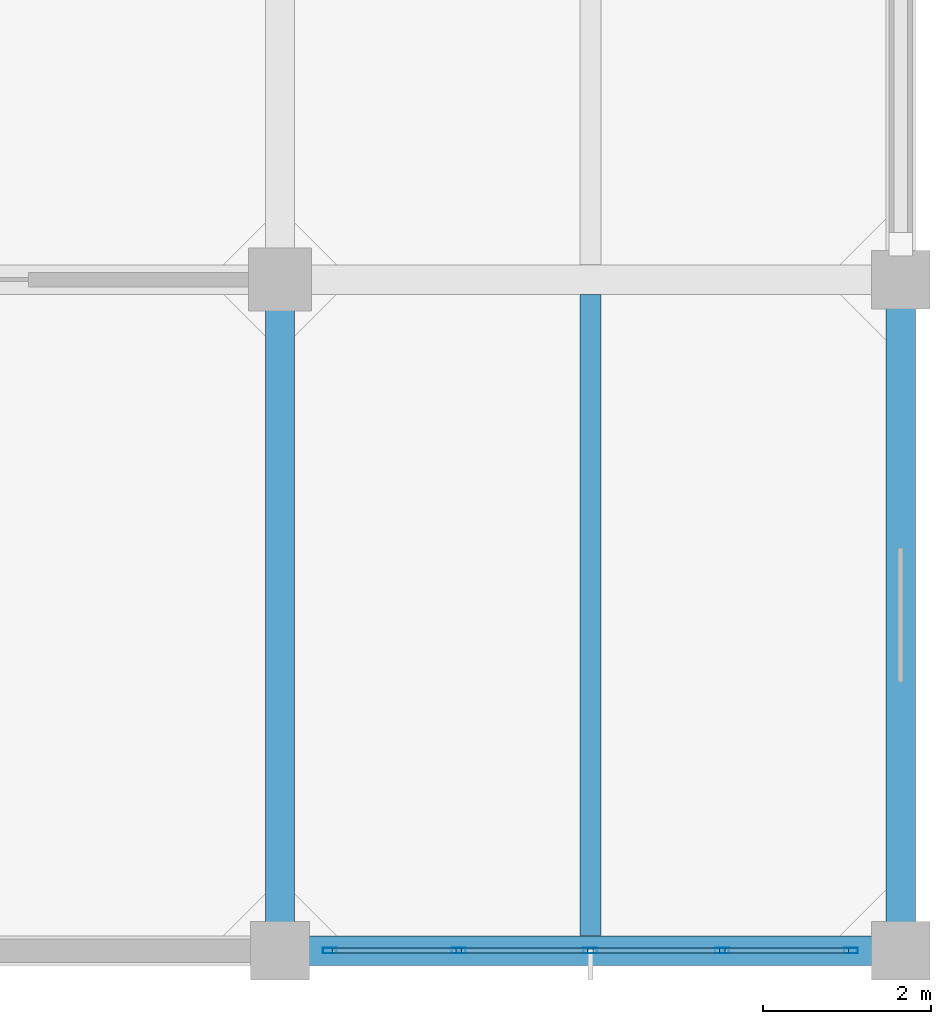
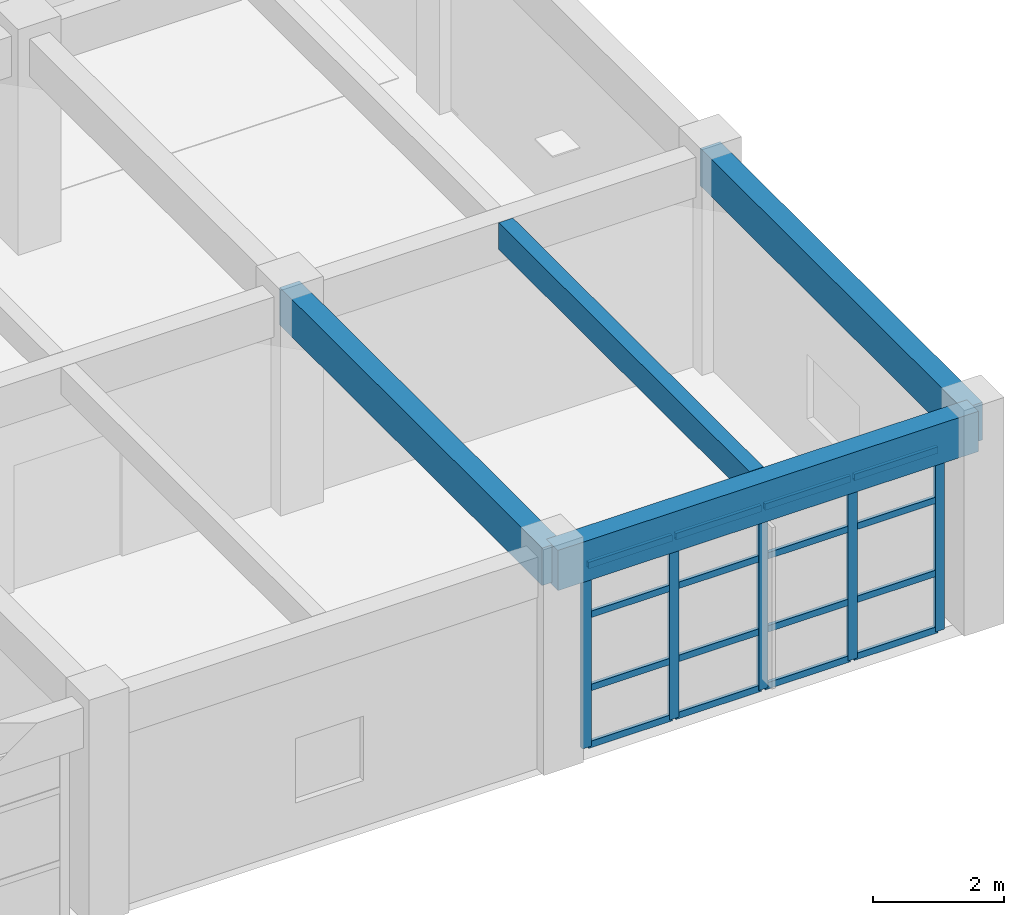
# One storey, part 5 of 19: 21 members, 4 beams, 1 element without a shape of its own.
"""IFC4 building model written with IfcOpenShell, lengths in metres."""

from ifc_helpers import new_model, si_unit, direction, frame, origin, origin_2d, place, context, subcontext, project, spatial, rectangle, hollow_rectangle, extrude, material, layer, layer_set, material_profile, profile_set, type_object, element, aggregate, save


model = new_model("IFC4")

# Units and contexts
model_context = context("Model", 3, precision=1e-05, world=origin(), true_north=direction((0.0, 1.0)))
body_context = subcontext(model_context, "Body", "Model", "MODEL_VIEW")
ifc_project = project(units=[si_unit("LENGTHUNIT", "METRE"), si_unit("AREAUNIT", "SQUARE_METRE"), si_unit("VOLUMEUNIT", "CUBIC_METRE"), si_unit("PLANEANGLEUNIT", "RADIAN"), si_unit("MASSUNIT", "GRAM", prefix="KILO")], contexts=[model_context])

# Site, building, storey
site_placement = place(None, origin())
site = spatial("IfcSite", under=ifc_project, at=site_placement, CompositionType="ELEMENT")
building_placement = place(site_placement, origin())
building = spatial("IfcBuilding", under=site, at=building_placement, Name="Canggui Botanical Conservatory", CompositionType="ELEMENT")
storey_placement = place(building_placement, frame((0.0, 0.0, 44.39990234375)))
storey = spatial("IfcBuildingStorey", under=building, at=storey_placement, Name="L11", CompositionType="ELEMENT", Elevation=44.39990234375)

# Beams
ifc_material_1 = material(Name="Concrete C35", Category="concrete")
ifc_material_profile_1 = material_profile(ifc_material_1, rectangle(XDim=0.25, YDim=0.5, at=origin_2d()), Name="RB 250x500")
ifc_profile_set_1 = profile_set([ifc_material_profile_1], Name="Concrete C35")
beam_type_1 = type_object("IfcBeamType", Name="BM-JST04", PredefinedType="JOIST", material=ifc_profile_set_1)
beam_1_placement = place(storey_placement, frame((173.699951171875, 34.179931640625, 3.710205078125), z_axis=(0.0, 1.0, 0.0), x_axis=(-1.0, 0.0, 0.0)))
element("IfcBeam", 1, at=beam_1_placement, inside=storey, type_object=beam_type_1, Name="Secondary Floor Joist L11-4-1", PredefinedType="JOIST", context=body_context, shape_type="SweptSolid", body=[
    extrude(rectangle(XDim=0.25, YDim=0.5, at=origin_2d()), origin(), (0.0, 0.0, 1.0), 7.64013671875),
])
ifc_material_profile_2 = material_profile(ifc_material_1, rectangle(XDim=0.35009765625, YDim=0.75, at=origin_2d()), Name="RB 350x750")
ifc_profile_set_2 = profile_set([ifc_material_profile_2], Name="Concrete C35")
beam_type_2 = type_object("IfcBeamType", Name="BM-KL16", PredefinedType="BEAM", material=ifc_profile_set_2)
beam_2_placement = place(storey_placement, frame((170.0, 34.0, 3.585205078125), z_axis=(1.0, 0.0, 0.0), x_axis=(0.0, 1.0, 0.0)))
element("IfcBeam", 2, at=beam_2_placement, inside=storey, type_object=beam_type_2, Name="Frame Girder L11 Y34-4", PredefinedType="BEAM", context=body_context, shape_type="SweptSolid", body=[
    extrude(rectangle(XDim=0.35009765625, YDim=0.75, at=origin_2d()), origin(), (0.0, 0.0, 1.0), 7.39990234375),
])
ifc_material_profile_3 = material_profile(ifc_material_1, rectangle(XDim=0.35009765625, YDim=0.699951171875, at=origin_2d()), Name="RB 350x700")
ifc_profile_set_3 = profile_set([ifc_material_profile_3], Name="Concrete C35")
beam_type_3 = type_object("IfcBeamType", Name="BM-KL17", PredefinedType="BEAM", material=ifc_profile_set_3)
for number, where, z_axis, x_axis, name in (
    (3, (170.0, 34.0, 3.610107421875), (0.0, 1.0, 0.0), (-1.0, 0.0, 0.0), "Frame Girder L11 X170-1"),
    (4, (177.39990234375, 34.0, 3.610107421875), (0.0, 1.0, 0.0), (-1.0, 0.0, 0.0), "Frame Girder L11 X178-1"),
):
    element("IfcBeam", number, at=place(storey_placement, frame(where, z_axis=z_axis, x_axis=x_axis)), inside=storey, type_object=beam_type_3, Name=name, PredefinedType="BEAM", context=body_context, shape_type="SweptSolid", body=[
        extrude(rectangle(XDim=0.35009765625, YDim=0.699951171875, at=origin_2d()), origin(), (0.0, 0.0, 1.0), 8.0),
    ])

# Curtain wall, members
ifc_material_2 = material(Name="Thermally Broken Aluminium", Category="aluminium")
ifc_layer = layer(ifc_material_2, 0.1650390625, Name="Thermally Broken Aluminium", Category="aluminium")
ifc_layer_set = layer_set([ifc_layer], Name="Thermally Broken Aluminium")
curtain_wall_type = type_object("IfcCurtainWallType", Name="CW-UNIT-B", PredefinedType="USERDEFINED", material=ifc_layer_set)
curtain_wall_placement = place(storey_placement, origin())
curtain_wall = element("IfcCurtainWall", 5, at=curtain_wall_placement, inside=storey, type_object=curtain_wall_type, Name="Facade Curtain Wall CW-TWR-L11-01", ObjectType="UNITISED CURTAIN WALL", PredefinedType="USERDEFINED")
ifc_material_profile_4 = material_profile(ifc_material_2, hollow_rectangle(XDim=0.06494140625, YDim=0.1650390625, WallThickness=0.00390625, at=origin_2d()), Name="CWM 65x165x4")
ifc_profile_set_4 = profile_set([ifc_material_profile_4], Name="Thermally Broken Aluminium")
member_type_1 = type_object("IfcMemberType", Name="CWM-02", PredefinedType="MULLION", material=ifc_profile_set_4)
member_1_placement = place(storey_placement, frame((176.8076171875, 34.0, 0.0), z_axis=(0.0, 0.0, 1.0), x_axis=(0.0, -1.0, 0.0)))
member_1 = element("IfcMember", 6, at=member_1_placement, type_object=member_type_1, Name="CW-02 mullion 1", PredefinedType="MULLION", context=body_context, shape_type="SweptSolid", body=[
    extrude(hollow_rectangle(XDim=0.06494140625, YDim=0.1650390625, WallThickness=0.00390625, at=origin_2d()), origin(), (0.0, 0.0, 1.0), 3.400146484375),
])
member_2_placement = place(storey_placement, frame((175.27001953125, 34.0, 0.0), z_axis=(0.0, 0.0, 1.0), x_axis=(0.0, -1.0, 0.0)))
member_2 = element("IfcMember", 7, at=member_2_placement, type_object=member_type_1, Name="CW-02 mullion 2", PredefinedType="MULLION", context=body_context, shape_type="SweptSolid", body=[
    extrude(hollow_rectangle(XDim=0.06494140625, YDim=0.1650390625, WallThickness=0.00390625, at=origin_2d()), origin(), (0.0, 0.0, 1.0), 3.400146484375),
])
member_3_placement = place(storey_placement, frame((173.699951171875, 34.0, 0.0), z_axis=(0.0, 0.0, 1.0), x_axis=(0.0, -1.0, 0.0)))
member_3 = element("IfcMember", 8, at=member_3_placement, type_object=member_type_1, Name="CW-02 mullion 3", PredefinedType="MULLION", context=body_context, shape_type="SweptSolid", body=[
    extrude(hollow_rectangle(XDim=0.06494140625, YDim=0.1650390625, WallThickness=0.00390625, at=origin_2d()), origin(), (0.0, 0.0, 1.0), 3.400146484375),
])
member_4_placement = place(storey_placement, frame((172.1298828125, 34.0, 0.0), z_axis=(0.0, 0.0, 1.0), x_axis=(0.0, -1.0, 0.0)))
member_4 = element("IfcMember", 9, at=member_4_placement, type_object=member_type_1, Name="CW-02 mullion 4", PredefinedType="MULLION", context=body_context, shape_type="SweptSolid", body=[
    extrude(hollow_rectangle(XDim=0.06494140625, YDim=0.1650390625, WallThickness=0.00390625, at=origin_2d()), origin(), (0.0, 0.0, 1.0), 3.400146484375),
])
member_5_placement = place(storey_placement, frame((170.592529296875, 34.0, 0.0), z_axis=(0.0, 0.0, 1.0), x_axis=(0.0, -1.0, 0.0)))
member_5 = element("IfcMember", 10, at=member_5_placement, type_object=member_type_1, Name="CW-02 mullion 5", PredefinedType="MULLION", context=body_context, shape_type="SweptSolid", body=[
    extrude(hollow_rectangle(XDim=0.06494140625, YDim=0.1650390625, WallThickness=0.00390625, at=origin_2d()), origin(), (0.0, 0.0, 1.0), 3.400146484375),
])
ifc_material_profile_5 = material_profile(ifc_material_2, hollow_rectangle(XDim=0.06005859375, YDim=0.1201171875, WallThickness=0.00341796875, at=origin_2d()), Name="CWT 60x120x3.5")
ifc_profile_set_5 = profile_set([ifc_material_profile_5], Name="Thermally Broken Aluminium")
member_type_2 = type_object("IfcMemberType", Name="CWT-02", PredefinedType="USERDEFINED", material=ifc_profile_set_5)
member_6_placement = place(storey_placement, frame((176.77490234375, 34.0, 0.030029296875), z_axis=(-1.0, 0.0, 0.0), x_axis=(0.0, -1.0, 0.0)))
member_6 = element("IfcMember", 11, at=member_6_placement, type_object=member_type_2, Name="CW-02 transom 1.1", ObjectType="TRANSOM", PredefinedType="USERDEFINED", context=body_context, shape_type="SweptSolid", body=[
    extrude(hollow_rectangle(XDim=0.06005859375, YDim=0.1201171875, WallThickness=0.00341796875, at=origin_2d()), origin(), (0.0, 0.0, 1.0), 1.472412109375),
])
member_7_placement = place(storey_placement, frame((176.77490234375, 34.0, 1.088134765625), z_axis=(-1.0, 0.0, 0.0), x_axis=(0.0, -1.0, 0.0)))
member_7 = element("IfcMember", 12, at=member_7_placement, type_object=member_type_2, Name="CW-02 transom 1.2", ObjectType="TRANSOM", PredefinedType="USERDEFINED", context=body_context, shape_type="SweptSolid", body=[
    extrude(hollow_rectangle(XDim=0.06005859375, YDim=0.1201171875, WallThickness=0.00341796875, at=origin_2d()), origin(), (0.0, 0.0, 1.0), 1.472412109375),
])
member_8_placement = place(storey_placement, frame((176.77490234375, 34.0, 2.447998046875), z_axis=(-1.0, 0.0, 0.0), x_axis=(0.0, -1.0, 0.0)))
member_8 = element("IfcMember", 13, at=member_8_placement, type_object=member_type_2, Name="CW-02 transom 1.3", ObjectType="TRANSOM", PredefinedType="USERDEFINED", context=body_context, shape_type="SweptSolid", body=[
    extrude(hollow_rectangle(XDim=0.06005859375, YDim=0.1201171875, WallThickness=0.00341796875, at=origin_2d()), origin(), (0.0, 0.0, 1.0), 1.472412109375),
])
member_9_placement = place(storey_placement, frame((176.77490234375, 34.0, 3.3701171875), z_axis=(-1.0, 0.0, 0.0), x_axis=(0.0, -1.0, 0.0)))
member_9 = element("IfcMember", 14, at=member_9_placement, type_object=member_type_2, Name="CW-02 transom 1.4", ObjectType="TRANSOM", PredefinedType="USERDEFINED", context=body_context, shape_type="SweptSolid", body=[
    extrude(hollow_rectangle(XDim=0.06005859375, YDim=0.1201171875, WallThickness=0.00341796875, at=origin_2d()), origin(), (0.0, 0.0, 1.0), 1.472412109375),
])
member_10_placement = place(storey_placement, frame((175.237548828125, 34.0, 0.030029296875), z_axis=(-1.0, 0.0, 0.0), x_axis=(0.0, -1.0, 0.0)))
member_10 = element("IfcMember", 15, at=member_10_placement, type_object=member_type_2, Name="CW-02 transom 2.1", ObjectType="TRANSOM", PredefinedType="USERDEFINED", context=body_context, shape_type="SweptSolid", body=[
    extrude(hollow_rectangle(XDim=0.06005859375, YDim=0.1201171875, WallThickness=0.00341796875, at=origin_2d()), origin(), (0.0, 0.0, 1.0), 1.505126953125),
])
member_11_placement = place(storey_placement, frame((175.237548828125, 34.0, 1.088134765625), z_axis=(-1.0, 0.0, 0.0), x_axis=(0.0, -1.0, 0.0)))
member_11 = element("IfcMember", 16, at=member_11_placement, type_object=member_type_2, Name="CW-02 transom 2.2", ObjectType="TRANSOM", PredefinedType="USERDEFINED", context=body_context, shape_type="SweptSolid", body=[
    extrude(hollow_rectangle(XDim=0.06005859375, YDim=0.1201171875, WallThickness=0.00341796875, at=origin_2d()), origin(), (0.0, 0.0, 1.0), 1.505126953125),
])
member_12_placement = place(storey_placement, frame((175.237548828125, 34.0, 2.447998046875), z_axis=(-1.0, 0.0, 0.0), x_axis=(0.0, -1.0, 0.0)))
member_12 = element("IfcMember", 17, at=member_12_placement, type_object=member_type_2, Name="CW-02 transom 2.3", ObjectType="TRANSOM", PredefinedType="USERDEFINED", context=body_context, shape_type="SweptSolid", body=[
    extrude(hollow_rectangle(XDim=0.06005859375, YDim=0.1201171875, WallThickness=0.00341796875, at=origin_2d()), origin(), (0.0, 0.0, 1.0), 1.505126953125),
])
member_13_placement = place(storey_placement, frame((175.237548828125, 34.0, 3.3701171875), z_axis=(-1.0, 0.0, 0.0), x_axis=(0.0, -1.0, 0.0)))
member_13 = element("IfcMember", 18, at=member_13_placement, type_object=member_type_2, Name="CW-02 transom 2.4", ObjectType="TRANSOM", PredefinedType="USERDEFINED", context=body_context, shape_type="SweptSolid", body=[
    extrude(hollow_rectangle(XDim=0.06005859375, YDim=0.1201171875, WallThickness=0.00341796875, at=origin_2d()), origin(), (0.0, 0.0, 1.0), 1.505126953125),
])
member_14_placement = place(storey_placement, frame((173.66748046875, 34.0, 0.030029296875), z_axis=(-1.0, 0.0, 0.0), x_axis=(0.0, -1.0, 0.0)))
member_14 = element("IfcMember", 19, at=member_14_placement, type_object=member_type_2, Name="CW-02 transom 3.1", ObjectType="TRANSOM", PredefinedType="USERDEFINED", context=body_context, shape_type="SweptSolid", body=[
    extrude(hollow_rectangle(XDim=0.06005859375, YDim=0.1201171875, WallThickness=0.00341796875, at=origin_2d()), origin(), (0.0, 0.0, 1.0), 1.5048828125),
])
member_15_placement = place(storey_placement, frame((173.66748046875, 34.0, 1.088134765625), z_axis=(-1.0, 0.0, 0.0), x_axis=(0.0, -1.0, 0.0)))
member_15 = element("IfcMember", 20, at=member_15_placement, type_object=member_type_2, Name="CW-02 transom 3.2", ObjectType="TRANSOM", PredefinedType="USERDEFINED", context=body_context, shape_type="SweptSolid", body=[
    extrude(hollow_rectangle(XDim=0.06005859375, YDim=0.1201171875, WallThickness=0.00341796875, at=origin_2d()), origin(), (0.0, 0.0, 1.0), 1.5048828125),
])
member_16_placement = place(storey_placement, frame((173.66748046875, 34.0, 2.447998046875), z_axis=(-1.0, 0.0, 0.0), x_axis=(0.0, -1.0, 0.0)))
member_16 = element("IfcMember", 21, at=member_16_placement, type_object=member_type_2, Name="CW-02 transom 3.3", ObjectType="TRANSOM", PredefinedType="USERDEFINED", context=body_context, shape_type="SweptSolid", body=[
    extrude(hollow_rectangle(XDim=0.06005859375, YDim=0.1201171875, WallThickness=0.00341796875, at=origin_2d()), origin(), (0.0, 0.0, 1.0), 1.5048828125),
])
member_17_placement = place(storey_placement, frame((173.66748046875, 34.0, 3.3701171875), z_axis=(-1.0, 0.0, 0.0), x_axis=(0.0, -1.0, 0.0)))
member_17 = element("IfcMember", 22, at=member_17_placement, type_object=member_type_2, Name="CW-02 transom 3.4", ObjectType="TRANSOM", PredefinedType="USERDEFINED", context=body_context, shape_type="SweptSolid", body=[
    extrude(hollow_rectangle(XDim=0.06005859375, YDim=0.1201171875, WallThickness=0.00341796875, at=origin_2d()), origin(), (0.0, 0.0, 1.0), 1.5048828125),
])
member_18_placement = place(storey_placement, frame((172.097412109375, 34.0, 0.030029296875), z_axis=(-1.0, 0.0, 0.0), x_axis=(0.0, -1.0, 0.0)))
member_18 = element("IfcMember", 23, at=member_18_placement, type_object=member_type_2, Name="CW-02 transom 4.1", ObjectType="TRANSOM", PredefinedType="USERDEFINED", context=body_context, shape_type="SweptSolid", body=[
    extrude(hollow_rectangle(XDim=0.06005859375, YDim=0.1201171875, WallThickness=0.00341796875, at=origin_2d()), origin(), (0.0, 0.0, 1.0), 1.472412109375),
])
member_19_placement = place(storey_placement, frame((172.097412109375, 34.0, 1.088134765625), z_axis=(-1.0, 0.0, 0.0), x_axis=(0.0, -1.0, 0.0)))
member_19 = element("IfcMember", 24, at=member_19_placement, type_object=member_type_2, Name="CW-02 transom 4.2", ObjectType="TRANSOM", PredefinedType="USERDEFINED", context=body_context, shape_type="SweptSolid", body=[
    extrude(hollow_rectangle(XDim=0.06005859375, YDim=0.1201171875, WallThickness=0.00341796875, at=origin_2d()), origin(), (0.0, 0.0, 1.0), 1.472412109375),
])
member_20_placement = place(storey_placement, frame((172.097412109375, 34.0, 2.447998046875), z_axis=(-1.0, 0.0, 0.0), x_axis=(0.0, -1.0, 0.0)))
member_20 = element("IfcMember", 25, at=member_20_placement, type_object=member_type_2, Name="CW-02 transom 4.3", ObjectType="TRANSOM", PredefinedType="USERDEFINED", context=body_context, shape_type="SweptSolid", body=[
    extrude(hollow_rectangle(XDim=0.06005859375, YDim=0.1201171875, WallThickness=0.00341796875, at=origin_2d()), origin(), (0.0, 0.0, 1.0), 1.472412109375),
])
member_21_placement = place(storey_placement, frame((172.097412109375, 34.0, 3.3701171875), z_axis=(-1.0, 0.0, 0.0), x_axis=(0.0, -1.0, 0.0)))
member_21 = element("IfcMember", 26, at=member_21_placement, type_object=member_type_2, Name="CW-02 transom 4.4", ObjectType="TRANSOM", PredefinedType="USERDEFINED", context=body_context, shape_type="SweptSolid", body=[
    extrude(hollow_rectangle(XDim=0.06005859375, YDim=0.1201171875, WallThickness=0.00341796875, at=origin_2d()), origin(), (0.0, 0.0, 1.0), 1.472412109375),
])
aggregate(curtain_wall, [member_1, member_2, member_3, member_4, member_5, member_6, member_7, member_8, member_9, member_10, member_11, member_12, member_13, member_14, member_15, member_16, member_17, member_18, member_19, member_20, member_21])

save(model, "model.ifc")
